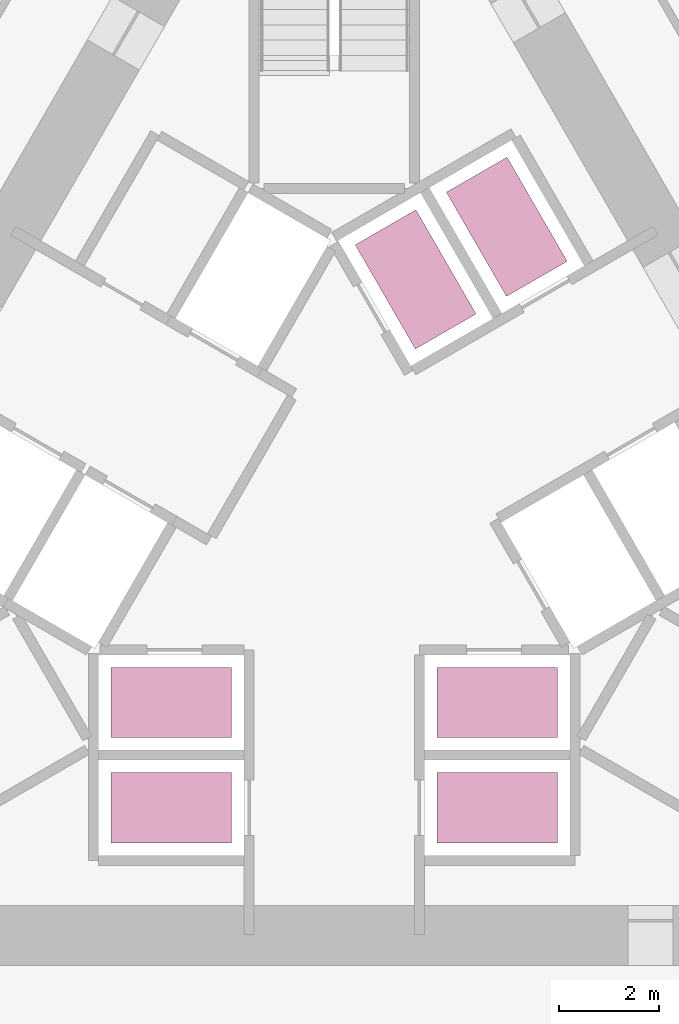
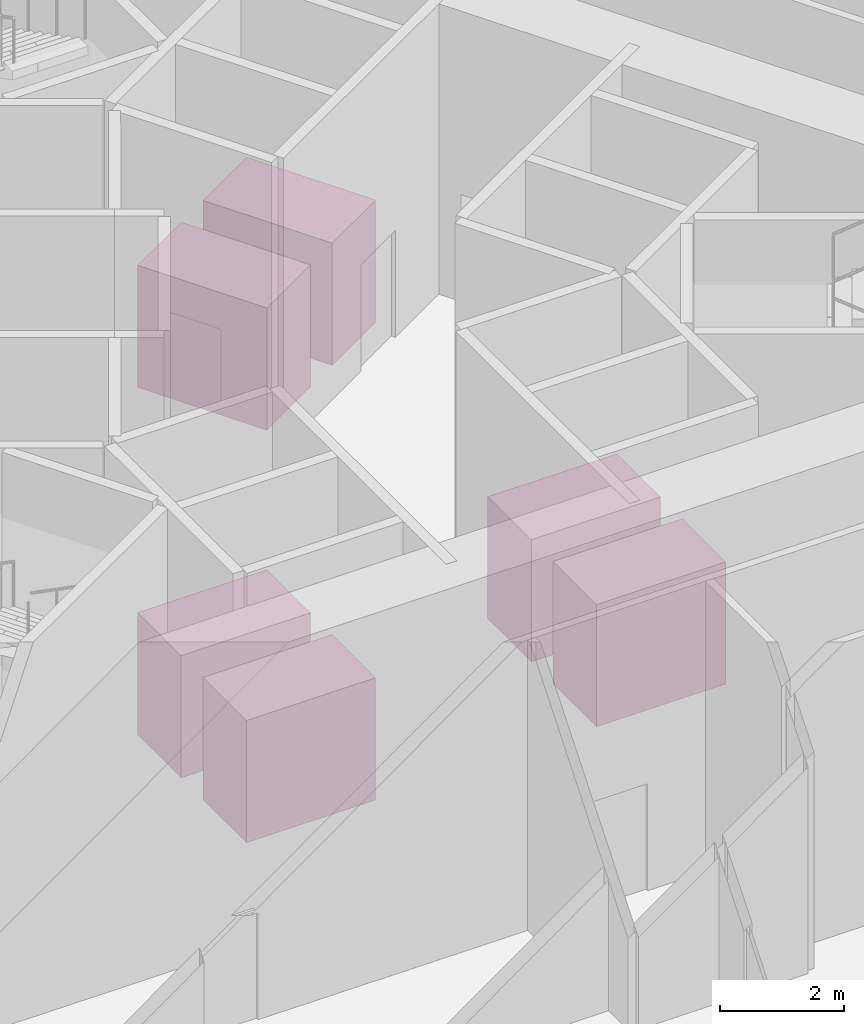
# One storey, part 18 of 18: 6 transport elements.
"""IFC4 building model written with IfcOpenShell, lengths in metres."""

from ifc_helpers import new_model, si_unit, direction, frame, origin, origin_2d, place, context, subcontext, project, spatial, rectangle, extrude, material, type_object, element, save


model = new_model("IFC4")

# Units and contexts
model_context = context("Model", 3, precision=1e-05, world=origin(), true_north=direction((0.0, 1.0)))
body_context = subcontext(model_context, "Body", "Model", "MODEL_VIEW")
ifc_project = project(units=[si_unit("LENGTHUNIT", "METRE"), si_unit("AREAUNIT", "SQUARE_METRE"), si_unit("VOLUMEUNIT", "CUBIC_METRE"), si_unit("PLANEANGLEUNIT", "RADIAN"), si_unit("MASSUNIT", "GRAM", prefix="KILO")], contexts=[model_context])

# Site, building, storey
site_placement = place(None, origin())
site = spatial("IfcSite", under=ifc_project, at=site_placement, CompositionType="ELEMENT")
building_placement = place(site_placement, origin())
building = spatial("IfcBuilding", under=site, at=building_placement, Name="Triada Interchange Tower", CompositionType="ELEMENT")
storey_placement = place(building_placement, frame((0.0, 0.0, 185.300048828125)))
storey = spatial("IfcBuildingStorey", under=building, at=storey_placement, Name="L43", CompositionType="ELEMENT", Elevation=185.300048828125)

# Transport elements
ifc_material = material(Name="Stainless steel 1.4301 car panels", Category="steel")
transport_element_type = type_object("IfcTransportElementType", Name="PASSENGER LIFT CAR 1600 KG 1400 X 2400", PredefinedType="ELEVATOR", material=ifc_material)
for number, where, z_axis, x_axis, name in (
    (1, (3.25, -3.75, 0.050048828125), (0.0, 0.0, 1.0), (0.0, -1.0, 0.0), "Lift car HR1"),
    (2, (3.25, -5.85009765625, 0.050048828125), (0.0, 0.0, 1.0), (0.0, -1.0, 0.0), "Lift car HR2"),
    (3, (-3.25, -3.75, 0.050048828125), (0.0, 0.0, 1.0), (0.0, -1.0, 0.0), "Lift car HR3"),
    (4, (-3.25, -5.85009765625, 0.050048828125), (0.0, 0.0, 1.0), (0.0, -1.0, 0.0), "Lift car HR4"),
    (5, (1.623046875, 4.68994140625, 0.050048828125), (0.0, 0.0, 1.0), (0.866025403784, 0.5, 0.0), "Lift car HR5"),
    (6, (3.44091796875, 5.739990234375, 0.050048828125), (0.0, 0.0, 1.0), (0.866025403784, 0.5, 0.0), "Lift car HR6"),
):
    element("IfcTransportElement", number, at=place(storey_placement, frame(where, z_axis=z_axis, x_axis=x_axis)), inside=storey, type_object=transport_element_type, Name=name, PredefinedType="ELEVATOR", context=body_context, shape_type="SweptSolid", body=[
        extrude(rectangle(XDim=1.39990234375, YDim=2.39990234375, at=origin_2d()), origin(), (0.0, 0.0, 1.0), 2.39990234375),
    ])

save(model, "model.ifc")
